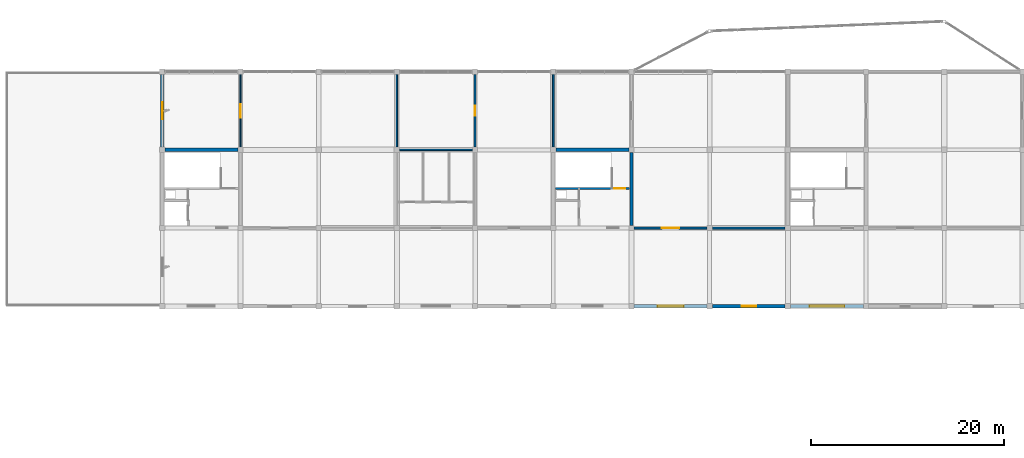
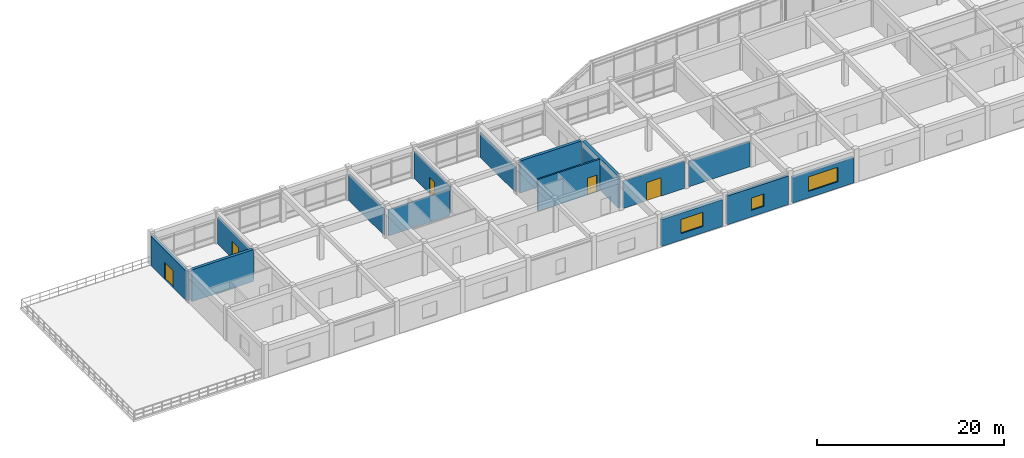
# One storey, part 26 of 40: 15 walls, 5 doors, 3 windows, 8 openings.
"""IFC4 building model written with IfcOpenShell, lengths in metres."""

from ifc_helpers import new_model, si_unit, direction, frame, frame_2d, origin, place, context, subcontext, project, spatial, rectangle, extrude, material, layer, layer_set, type_object, element, fill, save


model = new_model("IFC4")

# Units and contexts
model_context = context("Model", 3, precision=1e-05, world=origin(), true_north=direction((0.0, 1.0)))
body_context = subcontext(model_context, "Body", "Model", "MODEL_VIEW")
ifc_project = project(units=[si_unit("LENGTHUNIT", "METRE"), si_unit("AREAUNIT", "SQUARE_METRE"), si_unit("VOLUMEUNIT", "CUBIC_METRE"), si_unit("PLANEANGLEUNIT", "RADIAN"), si_unit("MASSUNIT", "GRAM", prefix="KILO")], contexts=[model_context])

# Site, building, storey
site_placement = place(None, origin())
site = spatial("IfcSite", under=ifc_project, at=site_placement, CompositionType="ELEMENT")
building_placement = place(site_placement, origin())
building = spatial("IfcBuilding", under=site, at=building_placement, Name="Vaudrelin Polytechnic", CompositionType="ELEMENT")
storey_placement = place(building_placement, frame((0.0, 0.0, 22.949951171875)))
storey = spatial("IfcBuildingStorey", under=building, at=storey_placement, Name="L05", CompositionType="ELEMENT", Elevation=22.949951171875)

# Wall, opening, door
ifc_material_1 = material(Name="Precast concrete 35 MPa with standing-seam zinc rainscreen", Category="concrete")
ifc_layer_1 = layer(ifc_material_1, 0.360107421875)
ifc_layer_set_1 = layer_set([ifc_layer_1], Name="Precast concrete 35 MPa with standing-seam zinc rainscreen")
wall_type_1 = type_object("IfcWallType", Name="WAL-EW-ZINC360", PredefinedType="STANDARD", material=ifc_layer_set_1)
wall_1_placement = place(storey_placement, frame((16.199951171875, 113.673095703125, 0.0), z_axis=(0.0, 0.0, 1.0), x_axis=(0.0, 1.0, 0.0)))
wall_1 = element("IfcWall", 1, at=wall_1_placement, inside=storey, type_object=wall_type_1, Name="Exterior wall L05 W_V5_02", PredefinedType="STANDARD", context=body_context, shape_type="SweptSolid", body=[
    extrude(rectangle(XDim=7.553955078125, YDim=0.360107421875, at=frame_2d((3.77685546875, 0.0))), origin(), (0.0, 0.0, 1.0), 3.85693359375),
])
opening_1_placement = place(wall_1_placement, frame((2.876953125, 0.0, 0.0)))
opening_1 = element("IfcOpeningElement", 2, at=opening_1_placement, cuts=wall_1, Name="Opening TD-05-01", PredefinedType="OPENING", context=body_context, shape_type="SweptSolid", body=[
    extrude(rectangle(XDim=1.800048828125, YDim=2.199951171875, at=frame_2d((0.89990234375, 1.10009765625))), frame((0.0, 0.18994140625, 0.0), z_axis=(0.0, -1.0, 0.0), x_axis=(1.0, 0.0, 0.0)), (0.0, 0.0, 1.0), 0.380126953125),
])
ifc_material_2 = material(Name="Thermally broken anodised aluminium AA 6063-T6", Category="aluminium")
door_type_1 = type_object("IfcDoorType", Name="DOR-ED-03", OperationType="DOUBLE_SWING_LEFT", PredefinedType="DOOR", material=ifc_material_2)
door_1_placement = place(opening_1_placement, origin())
door_1 = element("IfcDoor", 3, at=door_1_placement, inside=storey, type_object=door_type_1, Name="Exterior exit door TD-05-01", OperationType="DOUBLE_SWING_RIGHT", OverallHeight=2.199951171875, OverallWidth=1.800048828125, PredefinedType="DOOR", context=body_context, shape_type="SweptSolid", body=[
    extrude(rectangle(XDim=1.800048828125, YDim=2.199951171875, at=frame_2d((0.89990234375, 1.10009765625))), frame((0.0, 0.02490234375, 0.0), z_axis=(0.0, -1.0, 0.0), x_axis=(1.0, 0.0, 0.0)), (0.0, 0.0, 1.0), 0.050048828125),
])
fill(opening_1, door_1)

# Wall, opening, window
wall_2_placement = place(storey_placement, frame((65.072998046875, 97.199951171875, 0.0), z_axis=(0.0, 0.0, 1.0), x_axis=(1.0, 0.0, 0.0)))
wall_2 = element("IfcWall", 4, at=wall_2_placement, inside=storey, type_object=wall_type_1, Name="Exterior wall L05 S_V5_06", PredefinedType="STANDARD", context=body_context, shape_type="SweptSolid", body=[
    extrude(rectangle(XDim=7.553955078125, YDim=0.360107421875, at=frame_2d((3.77685546875, 0.0))), origin(), (0.0, 0.0, 1.0), 3.511962890625),
])
opening_2_placement = place(wall_2_placement, frame((2.427001953125, 0.0, 0.85009765625)))
opening_2 = element("IfcOpeningElement", 5, at=opening_2_placement, cuts=wall_2, Name="Opening W-L05-S-V5-07", PredefinedType="OPENING", context=body_context, shape_type="SweptSolid", body=[
    extrude(rectangle(XDim=2.699951171875, YDim=1.85009765625, at=frame_2d((1.35009765625, 0.925048828125))), frame((0.0, 0.18994140625, 0.0), z_axis=(0.0, -1.0, 0.0), x_axis=(1.0, 0.0, 0.0)), (0.0, 0.0, 1.0), 0.380126953125),
])
ifc_material_3 = material(Name="Thermally broken aluminium frame with triple low-e glazing", Category="aluminium")
window_type_1 = type_object("IfcWindowType", Name="WIN-WN-06", PartitioningType="SINGLE_PANEL", PredefinedType="WINDOW", material=ifc_material_3)
window_1_placement = place(opening_2_placement, origin())
window_1 = element("IfcWindow", 6, at=window_1_placement, inside=storey, type_object=window_type_1, Name="Facade window L05-S_V5_06", OverallHeight=1.85009765625, OverallWidth=2.699951171875, PartitioningType="SINGLE_PANEL", PredefinedType="WINDOW", context=body_context, shape_type="SweptSolid", body=[
    extrude(rectangle(XDim=2.699951171875, YDim=1.85009765625, at=frame_2d((1.35009765625, 0.925048828125))), frame((0.0, 0.030029296875, 0.0), z_axis=(0.0, -1.0, 0.0), x_axis=(1.0, 0.0, 0.0)), (0.0, 0.0, 1.0), 0.06005859375),
])
fill(opening_2, window_1)

wall_3_placement = place(storey_placement, frame((73.173095703125, 97.199951171875, 0.0), z_axis=(0.0, 0.0, 1.0), x_axis=(1.0, 0.0, 0.0)))
wall_3 = element("IfcWall", 7, at=wall_3_placement, inside=storey, type_object=wall_type_1, Name="Exterior wall L05 S_V5_07", PredefinedType="STANDARD", context=body_context, shape_type="SweptSolid", body=[
    extrude(rectangle(XDim=7.553955078125, YDim=0.360107421875, at=frame_2d((3.77685546875, 0.0))), origin(), (0.0, 0.0, 1.0), 3.7470703125),
])
opening_3_placement = place(wall_3_placement, frame((3.027099609375, 0.0, 0.85009765625)))
opening_3 = element("IfcOpeningElement", 8, at=opening_3_placement, cuts=wall_3, Name="Opening W-L05-S-V5-08", PredefinedType="OPENING", context=body_context, shape_type="SweptSolid", body=[
    extrude(rectangle(XDim=1.5, YDim=1.60009765625, at=frame_2d((0.75, 0.800048828125))), frame((0.0, 0.18994140625, 0.0), z_axis=(0.0, -1.0, 0.0), x_axis=(1.0, 0.0, 0.0)), (0.0, 0.0, 1.0), 0.380126953125),
])
window_type_2 = type_object("IfcWindowType", Name="WIN-WN-07", PartitioningType="SINGLE_PANEL", PredefinedType="WINDOW", material=ifc_material_3)
window_2_placement = place(opening_3_placement, origin())
window_2 = element("IfcWindow", 9, at=window_2_placement, inside=storey, type_object=window_type_2, Name="Facade window L05-S_V5_07", OverallHeight=1.60009765625, OverallWidth=1.5, PartitioningType="SINGLE_PANEL", PredefinedType="WINDOW", context=body_context, shape_type="SweptSolid", body=[
    extrude(rectangle(XDim=1.5, YDim=1.60009765625, at=frame_2d((0.75, 0.800048828125))), frame((0.0, 0.030029296875, 0.0), z_axis=(0.0, -1.0, 0.0), x_axis=(1.0, 0.0, 0.0)), (0.0, 0.0, 1.0), 0.06005859375),
])
fill(opening_3, window_2)

wall_4_placement = place(storey_placement, frame((81.27294921875, 97.199951171875, 0.0), z_axis=(0.0, 0.0, 1.0), x_axis=(1.0, 0.0, 0.0)))
wall_4 = element("IfcWall", 10, at=wall_4_placement, inside=storey, type_object=wall_type_1, Name="Exterior wall L05 S_V5_08", PredefinedType="STANDARD", context=body_context, shape_type="SweptSolid", body=[
    extrude(rectangle(XDim=7.553955078125, YDim=0.360107421875, at=frame_2d((3.77685546875, 0.0))), origin(), (0.0, 0.0, 1.0), 3.31201171875),
])
opening_4_placement = place(wall_4_placement, frame((1.97705078125, 0.0, 0.85009765625)))
opening_4 = element("IfcOpeningElement", 11, at=opening_4_placement, cuts=wall_4, Name="Opening W-L05-S-V5-09", PredefinedType="OPENING", context=body_context, shape_type="SweptSolid", body=[
    extrude(rectangle(XDim=3.60009765625, YDim=1.89990234375, at=frame_2d((1.800048828125, 0.949951171875))), frame((0.0, 0.18994140625, 0.0), z_axis=(0.0, -1.0, 0.0), x_axis=(1.0, 0.0, 0.0)), (0.0, 0.0, 1.0), 0.380126953125),
])
window_type_3 = type_object("IfcWindowType", Name="WIN-WN-08", PartitioningType="SINGLE_PANEL", PredefinedType="WINDOW", material=ifc_material_3)
window_3_placement = place(opening_4_placement, origin())
window_3 = element("IfcWindow", 12, at=window_3_placement, inside=storey, type_object=window_type_3, Name="Facade window L05-S_V5_08", OverallHeight=1.89990234375, OverallWidth=3.60009765625, PartitioningType="SINGLE_PANEL", PredefinedType="WINDOW", context=body_context, shape_type="SweptSolid", body=[
    extrude(rectangle(XDim=3.60009765625, YDim=1.89990234375, at=frame_2d((1.800048828125, 0.949951171875))), frame((0.0, 0.030029296875, 0.0), z_axis=(0.0, -1.0, 0.0), x_axis=(1.0, 0.0, 0.0)), (0.0, 0.0, 1.0), 0.06005859375),
])
fill(opening_4, window_3)

# Wall
ifc_material_4 = material(Name="Acoustic double-stud gypsum & mineral-wool partition", Category="gypsum")
ifc_layer_2 = layer(ifc_material_4, 0.179931640625)
ifc_layer_set_2 = layer_set([ifc_layer_2], Name="Acoustic double-stud gypsum & mineral-wool partition")
wall_type_2 = type_object("IfcWallType", Name="WAL-PW-AC180", PredefinedType="PARTITIONING", material=ifc_layer_set_2)
wall_5_placement = place(storey_placement, frame((56.699951171875, 113.673095703125, 0.0), z_axis=(0.0, 0.0, 1.0), x_axis=(0.0, 1.0, 0.0)))
element("IfcWall", 13, at=wall_5_placement, inside=storey, type_object=wall_type_2, Name="Partition L05-002 E", PredefinedType="PARTITIONING", context=body_context, shape_type="SweptSolid", body=[
    extrude(rectangle(XDim=7.553955078125, YDim=0.179931640625, at=frame_2d((3.77685546875, 0.0))), origin(), (0.0, 0.0, 1.0), 3.212158203125),
])

# Wall, opening, door
wall_6_placement = place(storey_placement, frame((48.60009765625, 113.673095703125, 0.0), z_axis=(0.0, 0.0, 1.0), x_axis=(0.0, 1.0, 0.0)))
wall_6 = element("IfcWall", 14, at=wall_6_placement, inside=storey, type_object=wall_type_2, Name="Partition L05-002 W", PredefinedType="PARTITIONING", context=body_context, shape_type="SweptSolid", body=[
    extrude(rectangle(XDim=7.553955078125, YDim=0.179931640625, at=frame_2d((3.77685546875, 0.0))), origin(), (0.0, 0.0, 1.0), 3.56201171875),
])
opening_5_placement = place(wall_6_placement, frame((3.237060546875, 0.0, 0.0)))
opening_5 = element("IfcOpeningElement", 15, at=opening_5_placement, cuts=wall_6, Name="Opening D-L05-555", PredefinedType="OPENING", context=body_context, shape_type="SweptSolid", body=[
    extrude(rectangle(XDim=1.080078125, YDim=2.14990234375, at=frame_2d((0.5400390625, 1.074951171875))), frame((0.0, 0.10009765625, 0.0), z_axis=(0.0, -1.0, 0.0), x_axis=(1.0, 0.0, 0.0)), (0.0, 0.0, 1.0), 0.199951171875),
])
ifc_material_5 = material(Name="Solid-core birch veneer acoustic leaf", Category="wood")
door_type_2 = type_object("IfcDoorType", Name="DOR-ID-SEM2", OperationType="NOTDEFINED", PredefinedType="DOOR", material=ifc_material_5)
door_2_placement = place(opening_5_placement, origin())
door_2 = element("IfcDoor", 16, at=door_2_placement, inside=storey, type_object=door_type_2, Name="Industrial Materials Specimen Room door L05-018", OperationType="SINGLE_SWING_RIGHT", OverallHeight=2.14990234375, OverallWidth=1.080078125, PredefinedType="DOOR", context=body_context, shape_type="SweptSolid", body=[
    extrude(rectangle(XDim=1.080078125, YDim=2.14990234375, at=frame_2d((0.5400390625, 1.074951171875))), frame((0.0, 0.02490234375, 0.0), z_axis=(0.0, -1.0, 0.0), x_axis=(1.0, 0.0, 0.0)), (0.0, 0.0, 1.0), 0.050048828125),
])
fill(opening_5, door_2)

ifc_material_6 = material(Name="Concrete masonry unit 20 MPa shaft & corridor fire wall", Category="masonry")
ifc_layer_3 = layer(ifc_material_6, 0.199951171875)
ifc_layer_set_3 = layer_set([ifc_layer_3], Name="Concrete masonry unit 20 MPa shaft & corridor fire wall")
wall_type_3 = type_object("IfcWallType", Name="WAL-PW-FIRE120", PredefinedType="PARTITIONING", material=ifc_layer_set_3)
wall_7_placement = place(storey_placement, frame((65.072998046875, 105.300048828125, 0.0), z_axis=(0.0, 0.0, 1.0), x_axis=(1.0, 0.0, 0.0)))
wall_7 = element("IfcWall", 17, at=wall_7_placement, inside=storey, type_object=wall_type_3, Name="Partition L05-003 S", PredefinedType="PARTITIONING", context=body_context, shape_type="SweptSolid", body=[
    extrude(rectangle(XDim=7.553955078125, YDim=0.199951171875, at=frame_2d((3.77685546875, 0.0))), origin(), (0.0, 0.0, 1.0), 3.56201171875),
])
opening_6_placement = place(wall_7_placement, frame((2.876953125, 0.0, 0.0)))
opening_6 = element("IfcOpeningElement", 18, at=opening_6_placement, cuts=wall_7, Name="Opening D-L05-542", PredefinedType="OPENING", context=body_context, shape_type="SweptSolid", body=[
    extrude(rectangle(XDim=1.800048828125, YDim=2.39990234375, at=frame_2d((0.89990234375, 1.199951171875))), frame((0.0, 0.10986328125, 0.0), z_axis=(0.0, -1.0, 0.0), x_axis=(1.0, 0.0, 0.0)), (0.0, 0.0, 1.0), 0.219970703125),
])
ifc_material_7 = material(Name="Pressed galvanised steel acoustic leaf", Category="steel")
door_type_3 = type_object("IfcDoorType", Name="DOR-ID-WK1", OperationType="NOTDEFINED", PredefinedType="DOOR", material=ifc_material_7)
door_3_placement = place(opening_6_placement, origin())
door_3 = element("IfcDoor", 19, at=door_3_placement, inside=storey, type_object=door_type_3, Name="Model Making and Laser Cutting Workshop door L05-003", OperationType="DOUBLE_SWING_LEFT", OverallHeight=2.39990234375, OverallWidth=1.800048828125, PredefinedType="DOOR", context=body_context, shape_type="SweptSolid", body=[
    extrude(rectangle(XDim=1.800048828125, YDim=2.39990234375, at=frame_2d((0.89990234375, 1.199951171875))), frame((0.0, 0.02490234375, 0.0), z_axis=(0.0, -1.0, 0.0), x_axis=(1.0, 0.0, 0.0)), (0.0, 0.0, 1.0), 0.050048828125),
])
fill(opening_6, door_3)

# Walls
wall_8_placement = place(storey_placement, frame((73.173095703125, 105.300048828125, 0.0), z_axis=(0.0, 0.0, 1.0), x_axis=(1.0, 0.0, 0.0)))
element("IfcWall", 20, at=wall_8_placement, inside=storey, type_object=wall_type_3, Name="Partition L05-003 S", PredefinedType="PARTITIONING", context=body_context, shape_type="SweptSolid", body=[
    extrude(rectangle(XDim=7.553955078125, YDim=0.199951171875, at=frame_2d((3.77685546875, 0.0))), origin(), (0.0, 0.0, 1.0), 3.31201171875),
])
ifc_material_8 = material(Name="Pin-up plywood & acoustic gypsum studio partition", Category="wood")
ifc_layer_4 = layer(ifc_material_8, 0.14990234375)
ifc_layer_set_4 = layer_set([ifc_layer_4], Name="Pin-up plywood & acoustic gypsum studio partition")
wall_type_4 = type_object("IfcWallType", Name="WAL-PW-STU150", PredefinedType="PARTITIONING", material=ifc_layer_set_4)
wall_9_placement = place(storey_placement, frame((40.5, 113.673095703125, 0.0), z_axis=(0.0, 0.0, 1.0), x_axis=(0.0, 1.0, 0.0)))
element("IfcWall", 21, at=wall_9_placement, inside=storey, type_object=wall_type_4, Name="Partition L05-001 E", PredefinedType="PARTITIONING", context=body_context, shape_type="SweptSolid", body=[
    extrude(rectangle(XDim=7.553955078125, YDim=0.14990234375, at=frame_2d((3.77685546875, 0.0))), origin(), (0.0, 0.0, 1.0), 3.412109375),
])

# Wall, opening, door
wall_10_placement = place(storey_placement, frame((24.300048828125, 113.673095703125, 0.0), z_axis=(0.0, 0.0, 1.0), x_axis=(0.0, 1.0, 0.0)))
wall_10 = element("IfcWall", 22, at=wall_10_placement, inside=storey, type_object=wall_type_4, Name="Partition L05-001 W", PredefinedType="PARTITIONING", context=body_context, shape_type="SweptSolid", body=[
    extrude(rectangle(XDim=7.553955078125, YDim=0.14990234375, at=frame_2d((3.77685546875, 0.0))), origin(), (0.0, 0.0, 1.0), 3.511962890625),
])
opening_7_placement = place(wall_10_placement, frame((3.076904296875, 0.0, 0.0)))
opening_7 = element("IfcOpeningElement", 23, at=opening_7_placement, cuts=wall_10, Name="Opening D-L05-554", PredefinedType="OPENING", context=body_context, shape_type="SweptSolid", body=[
    extrude(rectangle(XDim=1.39990234375, YDim=2.199951171875, at=frame_2d((0.699951171875, 1.10009765625))), frame((0.0, 0.0849609375, 0.0), z_axis=(0.0, -1.0, 0.0), x_axis=(1.0, 0.0, 0.0)), (0.0, 0.0, 1.0), 0.169921875),
])
door_type_4 = type_object("IfcDoorType", Name="DOR-ID-STU1", OperationType="NOTDEFINED", PredefinedType="DOOR", material=ifc_material_5)
door_4_placement = place(opening_7_placement, origin())
door_4 = element("IfcDoor", 24, at=door_4_placement, inside=storey, type_object=door_type_4, Name="West Terrace Critique Alcove door L05-017", OperationType="DOUBLE_SWING_LEFT", OverallHeight=2.199951171875, OverallWidth=1.39990234375, PredefinedType="DOOR", context=body_context, shape_type="SweptSolid", body=[
    extrude(rectangle(XDim=1.39990234375, YDim=2.199951171875, at=frame_2d((0.699951171875, 1.10009765625))), frame((0.0, 0.02490234375, 0.0), z_axis=(0.0, -1.0, 0.0), x_axis=(1.0, 0.0, 0.0)), (0.0, 0.0, 1.0), 0.050048828125),
])
fill(opening_7, door_4)

# Wall
ifc_material_9 = material(Name="Cement-board tiled wet-wall washroom partition", Category="gypsum")
ifc_layer_5 = layer(ifc_material_9, 0.139892578125)
ifc_layer_set_5 = layer_set([ifc_layer_5], Name="Cement-board tiled wet-wall washroom partition")
wall_type_5 = type_object("IfcWallType", Name="WAL-PW-WC140", PredefinedType="PARTITIONING", material=ifc_layer_set_5)
wall_11_placement = place(storey_placement, frame((40.77294921875, 113.39990234375, 0.0), z_axis=(0.0, 0.0, 1.0), x_axis=(1.0, 0.0, 0.0)))
element("IfcWall", 25, at=wall_11_placement, inside=storey, type_object=wall_type_5, Name="Washroom enclosure wall L05-5-13-N", PredefinedType="PARTITIONING", context=body_context, shape_type="SweptSolid", body=[
    extrude(rectangle(XDim=7.553955078125, YDim=0.139892578125, at=frame_2d((3.77685546875, 0.0))), origin(), (0.0, 0.0, 1.0), 3.41015625),
])

# Wall, opening, door
ifc_material_10 = material(Name="Concrete 40 MPa", Category="concrete")
ifc_layer_6 = layer(ifc_material_10, 0.199951171875)
ifc_layer_set_6 = layer_set([ifc_layer_6], Name="Concrete 40 MPa")
wall_type_6 = type_object("IfcWallType", Name="WAL-SW-CORE200", PredefinedType="SHEAR", material=ifc_layer_set_6)
wall_12_placement = place(storey_placement, frame((56.919921875, 109.409912109375, 0.0), z_axis=(0.0, 0.0, 1.0), x_axis=(1.0, 0.0, 0.0)))
wall_12 = element("IfcWall", 26, at=wall_12_placement, inside=storey, type_object=wall_type_6, Name="Core C9 stair enclosure wall L05", PredefinedType="SHEAR", context=body_context, shape_type="SweptSolid", body=[
    extrude(rectangle(XDim=7.66015625, YDim=0.199951171875, at=frame_2d((3.830078125, 0.0))), origin(), (0.0, 0.0, 1.0), 4.162109375),
])
opening_8_placement = place(wall_12_placement, frame((6.110107421875, 0.0, 0.0)))
opening_8 = element("IfcOpeningElement", 27, at=opening_8_placement, cuts=wall_12, Name="Opening D-L05-200", PredefinedType="OPENING", context=body_context, shape_type="SweptSolid", body=[
    extrude(rectangle(XDim=1.14990234375, YDim=2.199951171875, at=frame_2d((0.574951171875, 1.10009765625))), frame((0.0, 0.10986328125, 0.0), z_axis=(0.0, -1.0, 0.0), x_axis=(1.0, 0.0, 0.0)), (0.0, 0.0, 1.0), 0.219970703125),
])
door_type_5 = type_object("IfcDoorType", Name="DOR-ID-ST1", OperationType="NOTDEFINED", PredefinedType="DOOR", material=ifc_material_7)
door_5_placement = place(opening_8_placement, origin())
door_5 = element("IfcDoor", 28, at=door_5_placement, inside=storey, type_object=door_type_5, Name="Core C9 exit stair door L05", OperationType="SINGLE_SWING_LEFT", OverallHeight=2.199951171875, OverallWidth=1.14990234375, PredefinedType="DOOR", context=body_context, shape_type="SweptSolid", body=[
    extrude(rectangle(XDim=1.14990234375, YDim=2.199951171875, at=frame_2d((0.574951171875, 1.10009765625))), frame((0.0, 0.02490234375, 0.0), z_axis=(0.0, -1.0, 0.0), x_axis=(1.0, 0.0, 0.0)), (0.0, 0.0, 1.0), 0.050048828125),
])
fill(opening_8, door_5)

# Walls
ifc_material_11 = material(Name="Concrete 50 MPa", Category="concrete")
ifc_layer_7 = layer(ifc_material_11, 0.35009765625)
ifc_layer_set_7 = layer_set([ifc_layer_7], Name="Concrete 50 MPa")
wall_type_7 = type_object("IfcWallType", Name="WAL-SW-CORE350", PredefinedType="SHEAR", material=ifc_layer_set_7)
for number, where, z_axis, x_axis, name in (
    (29, (16.472900390625, 113.39990234375, 0.0), (0.0, 0.0, 1.0), (1.0, 0.0, 0.0), "Core C1 N shear wall L05"),
    (30, (56.972900390625, 113.39990234375, 0.0), (0.0, 0.0, 1.0), (1.0, 0.0, 0.0), "Core C9 N shear wall L05"),
):
    element("IfcWall", number, at=place(storey_placement, frame(where, z_axis=z_axis, x_axis=x_axis)), inside=storey, type_object=wall_type_7, Name=name, PredefinedType="SHEAR", context=body_context, shape_type="SweptSolid", body=[
        extrude(rectangle(XDim=7.55419921875, YDim=0.35009765625, at=frame_2d((3.777099609375, 0.0))), origin(), (0.0, 0.0, 1.0), 4.162109375),
    ])
wall_13_placement = place(storey_placement, frame((64.800048828125, 105.572998046875, 0.0), z_axis=(0.0, 0.0, 1.0), x_axis=(0.0, 1.0, 0.0)))
element("IfcWall", 31, at=wall_13_placement, inside=storey, type_object=wall_type_7, Name="Core C9 E shear wall L05", PredefinedType="SHEAR", context=body_context, shape_type="SweptSolid", body=[
    extrude(rectangle(XDim=7.553955078125, YDim=0.35009765625, at=frame_2d((3.77685546875, 0.0))), origin(), (0.0, 0.0, 1.0), 4.162109375),
])

save(model, "model.ifc")
